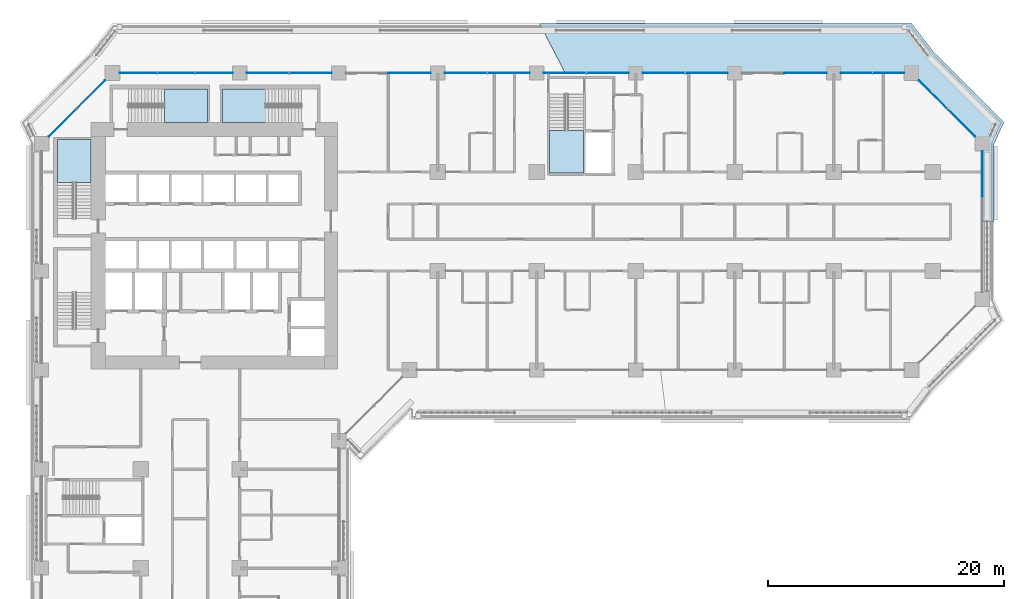
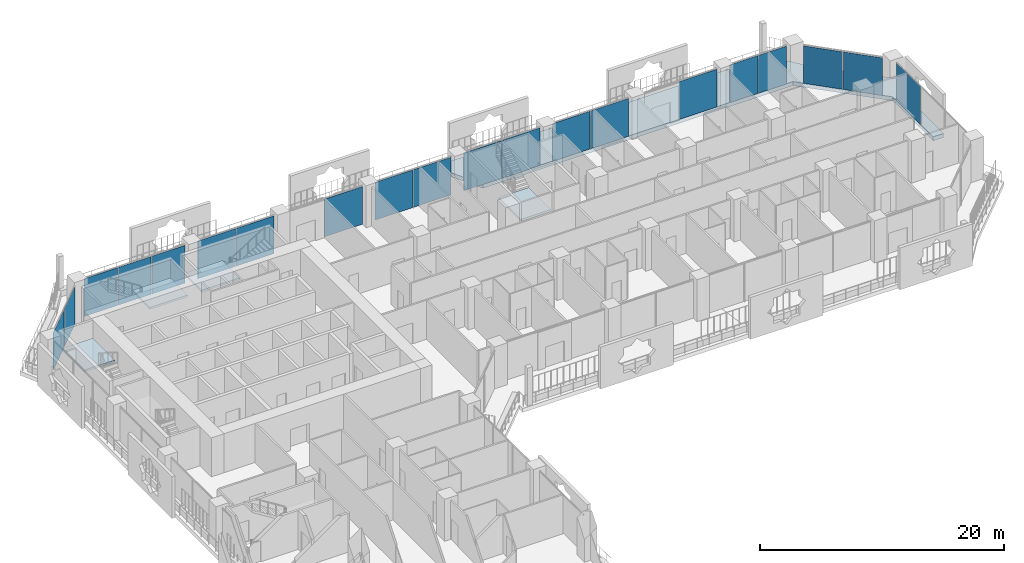
# One storey, part 12 of 29: 20 plates, 5 slabs, 8 elements without a shape of their own.
"""IFC4 building model written with IfcOpenShell, lengths in metres."""

from ifc_helpers import new_model, si_unit, direction, frame, origin, origin_2d, place, context, subcontext, project, spatial, polyline, rectangle, outline, extrude, material, layer, layer_set, type_object, element, aggregate, save


model = new_model("IFC4")

# Units and contexts
model_context = context("Model", 3, precision=1e-05, world=origin(), true_north=direction((0.0, 1.0)))
body_context = subcontext(model_context, "Body", "Model", "MODEL_VIEW")
ifc_project = project(units=[si_unit("LENGTHUNIT", "METRE"), si_unit("AREAUNIT", "SQUARE_METRE"), si_unit("VOLUMEUNIT", "CUBIC_METRE"), si_unit("PLANEANGLEUNIT", "RADIAN"), si_unit("MASSUNIT", "GRAM", prefix="KILO")], contexts=[model_context])

# Site, building, storey
site_placement = place(None, origin())
site = spatial("IfcSite", under=ifc_project, at=site_placement, CompositionType="ELEMENT")
building_placement = place(site_placement, origin())
building = spatial("IfcBuilding", under=site, at=building_placement, Name="Kawkab Arch Medical Tower", CompositionType="ELEMENT")
storey_placement = place(building_placement, frame((0.0, 0.0, 64.39990234375)))
storey = spatial("IfcBuildingStorey", under=building, at=storey_placement, Name="L14", CompositionType="ELEMENT", Elevation=64.39990234375)

# Curtain wall, plate
ifc_material_1 = material(Name="Bronze anodised aluminium curtain wall frame", Category="aluminium")
ifc_layer_1 = layer(ifc_material_1, 0.159912109375)
ifc_layer_set_1 = layer_set([ifc_layer_1], Name="Bronze anodised aluminium curtain wall frame")
curtain_wall_type_1 = type_object("IfcCurtainWallType", Name="CW1 ward curtain wall", PredefinedType="NOTDEFINED", material=ifc_layer_set_1)
placement_1 = place(storey_placement, origin())
curtain_wall_1 = element("IfcCurtainWall", 1, at=placement_1, inside=storey, type_object=curtain_wall_type_1, Name="CW1 Ward curtain wall R09", PredefinedType="NOTDEFINED")
ifc_material_2 = material(Name="Tinted insulating glass, bronze low-e coating", Category="glass")
ifc_layer_2 = layer(ifc_material_2, 0.031982421875)
ifc_layer_set_2 = layer_set([ifc_layer_2], Name="Tinted insulating glass, bronze low-e coating")
plate_type_1 = type_object("IfcPlateType", Name="CW1 glazing unit 32", PredefinedType="CURTAIN_PANEL", material=ifc_layer_set_2)
plate_1_placement = place(storey_placement, frame((79.800048828125, -8.6015625, 0.0), z_axis=(0.0, 0.0, 1.0), x_axis=(0.0, 1.0, 0.0)))
plate_1 = element("IfcPlate", 2, at=plate_1_placement, type_object=plate_type_1, Name="CW1 glazing unit 1.3", PredefinedType="CURTAIN_PANEL", context=body_context, shape_type="SweptSolid", body=[
    extrude(rectangle(XDim=3.953369140625, YDim=0.031982421875, at=origin_2d()), origin(), (0.0, 0.0, 1.0), 3.780029296875),
])
aggregate(curtain_wall_1, [plate_1])

# Curtain wall, plates
curtain_wall_2 = element("IfcCurtainWall", 3, at=placement_1, inside=storey, type_object=curtain_wall_type_1, Name="CW1 Ward curtain wall R11", PredefinedType="NOTDEFINED")
plate_2_placement = place(storey_placement, frame((71.84619140625, 0.0, 0.0), z_axis=(0.0, 0.0, 1.0), x_axis=(-1.0, 0.0, 0.0)))
plate_2 = element("IfcPlate", 4, at=plate_2_placement, type_object=plate_type_1, Name="CW1 glazing unit 1.1", PredefinedType="CURTAIN_PANEL", context=body_context, shape_type="SweptSolid", body=[
    extrude(rectangle(XDim=2.657470703125, YDim=0.031982421875, at=origin_2d()), origin(), (0.0, 0.0, 1.0), 3.780029296875),
])
plate_3_placement = place(storey_placement, frame((69.128662109375, 0.0, 0.0), z_axis=(0.0, 0.0, 1.0), x_axis=(-1.0, 0.0, 0.0)))
plate_3 = element("IfcPlate", 5, at=plate_3_placement, type_object=plate_type_1, Name="CW1 glazing unit 1.2", PredefinedType="CURTAIN_PANEL", context=body_context, shape_type="SweptSolid", body=[
    extrude(rectangle(XDim=2.657470703125, YDim=0.031982421875, at=origin_2d()), origin(), (0.0, 0.0, 1.0), 3.780029296875),
])
plate_4_placement = place(storey_placement, frame((64.800048828125, 0.0, 0.0), z_axis=(0.0, 0.0, 1.0), x_axis=(-1.0, 0.0, 0.0)))
plate_4 = element("IfcPlate", 6, at=plate_4_placement, type_object=plate_type_1, Name="CW1 glazing unit 2.1", PredefinedType="CURTAIN_PANEL", context=body_context, shape_type="SweptSolid", body=[
    extrude(rectangle(XDim=3.60009765625, YDim=0.031982421875, at=origin_2d()), origin(), (0.0, 0.0, 1.0), 3.780029296875),
])
plate_5_placement = place(storey_placement, frame((56.4150390625, 0.0, 0.0), z_axis=(0.0, 0.0, 1.0), x_axis=(-1.0, 0.0, 0.0)))
plate_5 = element("IfcPlate", 7, at=plate_5_placement, type_object=plate_type_1, Name="CW1 glazing unit 3.1", PredefinedType="CURTAIN_PANEL", context=body_context, shape_type="SweptSolid", body=[
    extrude(rectangle(XDim=3.570068359375, YDim=0.031982421875, at=origin_2d()), origin(), (0.0, 0.0, 1.0), 3.780029296875),
])
plate_6_placement = place(storey_placement, frame((52.784912109375, 0.0, 0.0), z_axis=(0.0, 0.0, 1.0), x_axis=(-1.0, 0.0, 0.0)))
plate_6 = element("IfcPlate", 8, at=plate_6_placement, type_object=plate_type_1, Name="CW1 glazing unit 3.2", PredefinedType="CURTAIN_PANEL", context=body_context, shape_type="SweptSolid", body=[
    extrude(rectangle(XDim=3.570068359375, YDim=0.031982421875, at=origin_2d()), origin(), (0.0, 0.0, 1.0), 3.780029296875),
])
plate_7_placement = place(storey_placement, frame((48.014892578125, 0.0, 0.0), z_axis=(0.0, 0.0, 1.0), x_axis=(-1.0, 0.0, 0.0)))
plate_7 = element("IfcPlate", 9, at=plate_7_placement, type_object=plate_type_1, Name="CW1 glazing unit 4.1", PredefinedType="CURTAIN_PANEL", context=body_context, shape_type="SweptSolid", body=[
    extrude(rectangle(XDim=3.570068359375, YDim=0.031982421875, at=origin_2d()), origin(), (0.0, 0.0, 1.0), 3.780029296875),
])
plate_8_placement = place(storey_placement, frame((44.385009765625, 0.0, 0.0), z_axis=(0.0, 0.0, 1.0), x_axis=(-1.0, 0.0, 0.0)))
plate_8 = element("IfcPlate", 10, at=plate_8_placement, type_object=plate_type_1, Name="CW1 glazing unit 4.2", PredefinedType="CURTAIN_PANEL", context=body_context, shape_type="SweptSolid", body=[
    extrude(rectangle(XDim=3.570068359375, YDim=0.031982421875, at=origin_2d()), origin(), (0.0, 0.0, 1.0), 3.780029296875),
])
plate_9_placement = place(storey_placement, frame((39.614990234375, 0.0, 0.0), z_axis=(0.0, 0.0, 1.0), x_axis=(-1.0, 0.0, 0.0)))
plate_9 = element("IfcPlate", 11, at=plate_9_placement, type_object=plate_type_1, Name="CW1 glazing unit 5.1", PredefinedType="CURTAIN_PANEL", context=body_context, shape_type="SweptSolid", body=[
    extrude(rectangle(XDim=3.570068359375, YDim=0.031982421875, at=origin_2d()), origin(), (0.0, 0.0, 1.0), 3.780029296875),
])
plate_10_placement = place(storey_placement, frame((35.985107421875, 0.0, 0.0), z_axis=(0.0, 0.0, 1.0), x_axis=(-1.0, 0.0, 0.0)))
plate_10 = element("IfcPlate", 12, at=plate_10_placement, type_object=plate_type_1, Name="CW1 glazing unit 5.2", PredefinedType="CURTAIN_PANEL", context=body_context, shape_type="SweptSolid", body=[
    extrude(rectangle(XDim=3.570068359375, YDim=0.031982421875, at=origin_2d()), origin(), (0.0, 0.0, 1.0), 3.780029296875),
])
plate_11_placement = place(storey_placement, frame((31.199951171875, 0.0, 0.0), z_axis=(0.0, 0.0, 1.0), x_axis=(-1.0, 0.0, 0.0)))
plate_11 = element("IfcPlate", 13, at=plate_11_placement, type_object=plate_type_1, Name="CW1 glazing unit 6.1", PredefinedType="CURTAIN_PANEL", context=body_context, shape_type="SweptSolid", body=[
    extrude(rectangle(XDim=3.60009765625, YDim=0.031982421875, at=origin_2d()), origin(), (0.0, 0.0, 1.0), 3.780029296875),
])
plate_12_placement = place(storey_placement, frame((22.81494140625, 0.0, 0.0), z_axis=(0.0, 0.0, 1.0), x_axis=(-1.0, 0.0, 0.0)))
plate_12 = element("IfcPlate", 14, at=plate_12_placement, type_object=plate_type_1, Name="CW1 glazing unit 7.1", PredefinedType="CURTAIN_PANEL", context=body_context, shape_type="SweptSolid", body=[
    extrude(rectangle(XDim=3.570068359375, YDim=0.031982421875, at=origin_2d()), origin(), (0.0, 0.0, 1.0), 3.780029296875),
])
plate_13_placement = place(storey_placement, frame((19.18505859375, 0.0, 0.0), z_axis=(0.0, 0.0, 1.0), x_axis=(-1.0, 0.0, 0.0)))
plate_13 = element("IfcPlate", 15, at=plate_13_placement, type_object=plate_type_1, Name="CW1 glazing unit 7.2", PredefinedType="CURTAIN_PANEL", context=body_context, shape_type="SweptSolid", body=[
    extrude(rectangle(XDim=3.570068359375, YDim=0.031982421875, at=origin_2d()), origin(), (0.0, 0.0, 1.0), 3.780029296875),
])
plate_14_placement = place(storey_placement, frame((14.619140625, 0.0, 0.0), z_axis=(0.0, 0.0, 1.0), x_axis=(-1.0, 0.0, 0.0)))
plate_14 = element("IfcPlate", 16, at=plate_14_placement, type_object=plate_type_1, Name="CW1 glazing unit 8.1", PredefinedType="CURTAIN_PANEL", context=body_context, shape_type="SweptSolid", body=[
    extrude(rectangle(XDim=3.16162109375, YDim=0.031982421875, at=origin_2d()), origin(), (0.0, 0.0, 1.0), 3.780029296875),
])
plate_15_placement = place(storey_placement, frame((11.41259765625, 0.0, 0.0), z_axis=(0.0, 0.0, 1.0), x_axis=(-1.0, 0.0, 0.0)))
plate_15 = element("IfcPlate", 17, at=plate_15_placement, type_object=plate_type_1, Name="CW1 glazing unit 8.2", PredefinedType="CURTAIN_PANEL", context=body_context, shape_type="SweptSolid", body=[
    extrude(rectangle(XDim=3.131591796875, YDim=0.031982421875, at=origin_2d()), origin(), (0.0, 0.0, 1.0), 3.780029296875),
])
plate_16_placement = place(storey_placement, frame((8.205810546875, 0.0, 0.0), z_axis=(0.0, 0.0, 1.0), x_axis=(-1.0, 0.0, 0.0)))
plate_16 = element("IfcPlate", 18, at=plate_16_placement, type_object=plate_type_1, Name="CW1 glazing unit 8.3", PredefinedType="CURTAIN_PANEL", context=body_context, shape_type="SweptSolid", body=[
    extrude(rectangle(XDim=3.16162109375, YDim=0.031982421875, at=origin_2d()), origin(), (0.0, 0.0, 1.0), 3.780029296875),
])
aggregate(curtain_wall_2, [plate_2, plate_3, plate_4, plate_5, plate_6, plate_7, plate_8, plate_9, plate_10, plate_11, plate_12, plate_13, plate_14, plate_15, plate_16])

ifc_material_3 = material(Name="Bronze anodised aluminium curtain wall frame", Category="aluminium")
ifc_layer_3 = layer(ifc_material_3, 0.159912109375)
ifc_layer_set_3 = layer_set([ifc_layer_3], Name="Bronze anodised aluminium curtain wall frame")
curtain_wall_type_2 = type_object("IfcCurtainWallType", Name="CW2 chamfer curtain wall", PredefinedType="NOTDEFINED", material=ifc_layer_set_3)
curtain_wall_3 = element("IfcCurtainWall", 19, at=placement_1, inside=storey, type_object=curtain_wall_type_2, Name="CW2 Chamfer curtain wall R10", PredefinedType="NOTDEFINED")
ifc_material_4 = material(Name="Tinted insulating glass, bronze low-e coating", Category="glass")
ifc_layer_4 = layer(ifc_material_4, 0.031982421875)
ifc_layer_set_4 = layer_set([ifc_layer_4], Name="Tinted insulating glass, bronze low-e coating")
plate_type_2 = type_object("IfcPlateType", Name="CW2 glazing unit 32", PredefinedType="CURTAIN_PANEL", material=ifc_layer_set_4)
plate_17_placement = place(storey_placement, frame((77.998046875, -4.197998046875, 0.0), z_axis=(0.0, 0.0, 1.0), x_axis=(-0.707106781187, 0.707106781187, 0.0)))
plate_17 = element("IfcPlate", 20, at=plate_17_placement, type_object=plate_type_2, Name="CW2 glazing unit 1.1", PredefinedType="CURTAIN_PANEL", context=body_context, shape_type="SweptSolid", body=[
    extrude(rectangle(XDim=3.328857421875, YDim=0.031982421875, at=origin_2d()), origin(), (0.0, 0.0, 1.0), 3.760009765625),
])
plate_18_placement = place(storey_placement, frame((75.601806640625, -1.802001953125, 0.0), z_axis=(0.0, 0.0, 1.0), x_axis=(-0.707106781187, 0.707106781187, 0.0)))
plate_18 = element("IfcPlate", 21, at=plate_18_placement, type_object=plate_type_2, Name="CW2 glazing unit 1.2", PredefinedType="CURTAIN_PANEL", context=body_context, shape_type="SweptSolid", body=[
    extrude(rectangle(XDim=3.328857421875, YDim=0.031982421875, at=origin_2d()), origin(), (0.0, 0.0, 1.0), 3.760009765625),
])
aggregate(curtain_wall_3, [plate_17, plate_18])

curtain_wall_4 = element("IfcCurtainWall", 22, at=placement_1, inside=storey, type_object=curtain_wall_type_2, Name="CW2 Chamfer curtain wall R12", PredefinedType="NOTDEFINED")
plate_19_placement = place(storey_placement, frame((4.197998046875, -1.802001953125, 0.0), z_axis=(0.0, 0.0, 1.0), x_axis=(-0.707106781187, -0.707106781187, 0.0)))
plate_19 = element("IfcPlate", 23, at=plate_19_placement, type_object=plate_type_2, Name="CW2 glazing unit 1.1", PredefinedType="CURTAIN_PANEL", context=body_context, shape_type="SweptSolid", body=[
    extrude(rectangle(XDim=3.328857421875, YDim=0.031982421875, at=origin_2d()), origin(), (0.0, 0.0, 1.0), 3.760009765625),
])
plate_20_placement = place(storey_placement, frame((1.802001953125, -4.197998046875, 0.0), z_axis=(0.0, 0.0, 1.0), x_axis=(-0.707106781187, -0.707106781187, 0.0)))
plate_20 = element("IfcPlate", 24, at=plate_20_placement, type_object=plate_type_2, Name="CW2 glazing unit 1.2", PredefinedType="CURTAIN_PANEL", context=body_context, shape_type="SweptSolid", body=[
    extrude(rectangle(XDim=3.328857421875, YDim=0.031982421875, at=origin_2d()), origin(), (0.0, 0.0, 1.0), 3.760009765625),
])
aggregate(curtain_wall_4, [plate_19, plate_20])

# Stair, slab
ifc_material_5 = material(Name="Concrete C40/50", Category="concrete")
stair_type = type_object("IfcStairType", Name="Exit stair 1350", PredefinedType="HALF_TURN_STAIR", material=ifc_material_5)
stair_1 = element("IfcStair", 25, at=placement_1, inside=storey, type_object=stair_type, Name="L14 Exit stair ST1", PredefinedType="HALF_TURN_STAIR")
ifc_material_6 = material(Name="Concrete C40/50", Category="concrete")
ifc_layer_5 = layer(ifc_material_6, 0.199951171875)
ifc_layer_set_5 = layer_set([ifc_layer_5], Name="Concrete C40/50")
slab_type_1 = type_object("IfcSlabType", Name="Exit stair landing 200", PredefinedType="LANDING", material=ifc_layer_set_5)
placement_2 = place(storey_placement, frame((0.0, 0.0, 1.900146484375)))
slab_1 = element("IfcSlab", 26, at=placement_2, type_object=slab_type_1, Name="ST1 landing 1", PredefinedType="LANDING", context=body_context, shape_type="SweptSolid", body=[
    extrude(outline(polyline([(4.199951171875, -9.27001953125), (4.199951171875, -5.64990234375), (1.35009765625, -5.64990234375), (1.35009765625, -9.27001953125), (4.199951171875, -9.27001953125)])), origin(), (0.0, 0.0, 1.0), 0.199951171875),
])
aggregate(stair_1, [slab_1])

stair_2 = element("IfcStair", 27, at=placement_1, inside=storey, type_object=stair_type, Name="L14 Exit stair ST3", PredefinedType="HALF_TURN_STAIR")
slab_2 = element("IfcSlab", 28, at=placement_2, type_object=slab_type_1, Name="ST3 landing 1", PredefinedType="LANDING", context=body_context, shape_type="SweptSolid", body=[
    extrude(outline(polyline([(10.429931640625, -4.199951171875), (14.050048828125, -4.199951171875), (14.050048828125, -1.35009765625), (10.429931640625, -1.35009765625), (10.429931640625, -4.199951171875)])), origin(), (0.0, 0.0, 1.0), 0.199951171875),
])
aggregate(stair_2, [slab_2])

stair_3 = element("IfcStair", 29, at=placement_1, inside=storey, type_object=stair_type, Name="L14 Exit stair ST4", PredefinedType="HALF_TURN_STAIR")
slab_3 = element("IfcSlab", 30, at=placement_2, type_object=slab_type_1, Name="ST4 landing 1", PredefinedType="LANDING", context=body_context, shape_type="SweptSolid", body=[
    extrude(outline(polyline([(18.969970703125, -1.35009765625), (15.35009765625, -1.35009765625), (15.35009765625, -4.199951171875), (18.969970703125, -4.199951171875), (18.969970703125, -1.35009765625)])), origin(), (0.0, 0.0, 1.0), 0.199951171875),
])
aggregate(stair_3, [slab_3])

stair_4 = element("IfcStair", 31, at=placement_1, inside=storey, type_object=stair_type, Name="L14 Exit stair ST5", PredefinedType="HALF_TURN_STAIR")
slab_4 = element("IfcSlab", 32, at=placement_2, type_object=slab_type_1, Name="ST5 landing 1", PredefinedType="LANDING", context=body_context, shape_type="SweptSolid", body=[
    extrude(outline(polyline([(43.10009765625, -4.8798828125), (43.10009765625, -8.5), (45.949951171875, -8.5), (45.949951171875, -4.8798828125), (43.10009765625, -4.8798828125)])), origin(), (0.0, 0.0, 1.0), 0.199951171875),
])
aggregate(stair_4, [slab_4])

# Slab
ifc_material_7 = material(Name="Concrete C40/50", Category="concrete")
ifc_layer_6 = layer(ifc_material_7, 0.39990234375)
ifc_layer_set_6 = layer_set([ifc_layer_6], Name="Concrete C40/50")
slab_type_2 = type_object("IfcSlabType", Name="Loggia slab 400", PredefinedType="FLOOR", material=ifc_layer_set_6)
slab_5_placement = place(storey_placement, frame((0.0, 0.0, -0.39990234375)))
element("IfcSlab", 33, at=slab_5_placement, inside=storey, type_object=slab_type_2, Name="Loggia slab L14.6", PredefinedType="FLOOR", context=body_context, shape_type="SweptSolid", body=[
    extrude(outline(polyline([(75.637939453125, 1.837890625), (81.637939453125, -4.162109375), (80.800048828125, -6.0), (80.800048828125, -12.60009765625), (79.800048828125, -12.60009765625), (79.800048828125, -6.0), (73.800048828125, 0.0), (73.800048828125, 0.0009765625), (44.410888671875, 0.0009765625), (42.23388671875, 4.199951171875), (73.800048828125, 4.199951171875), (75.637939453125, 1.837890625)])), origin(), (0.0, 0.0, 1.0), 0.39990234375),
])

save(model, "model.ifc")
